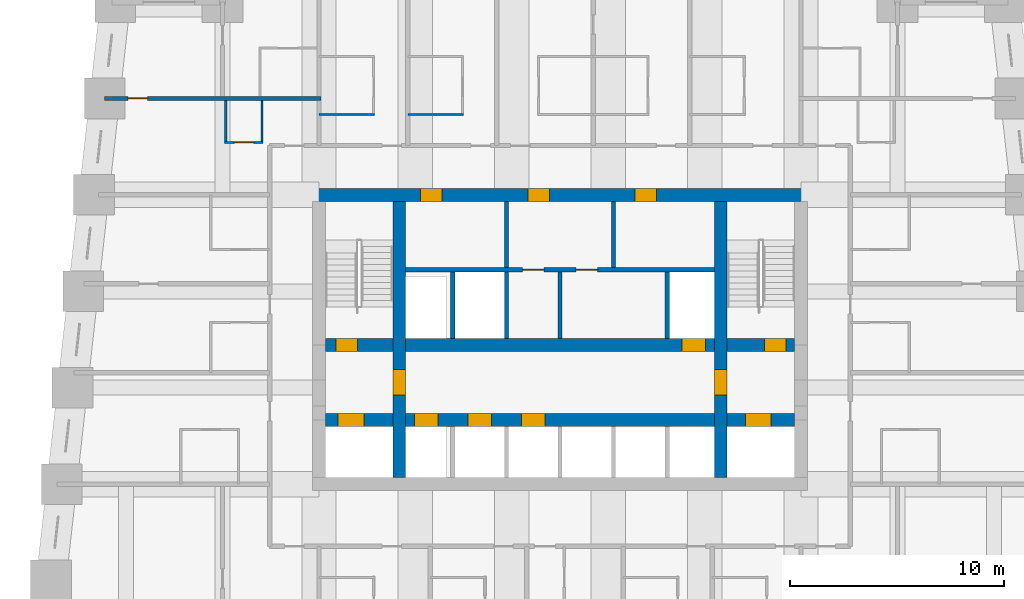
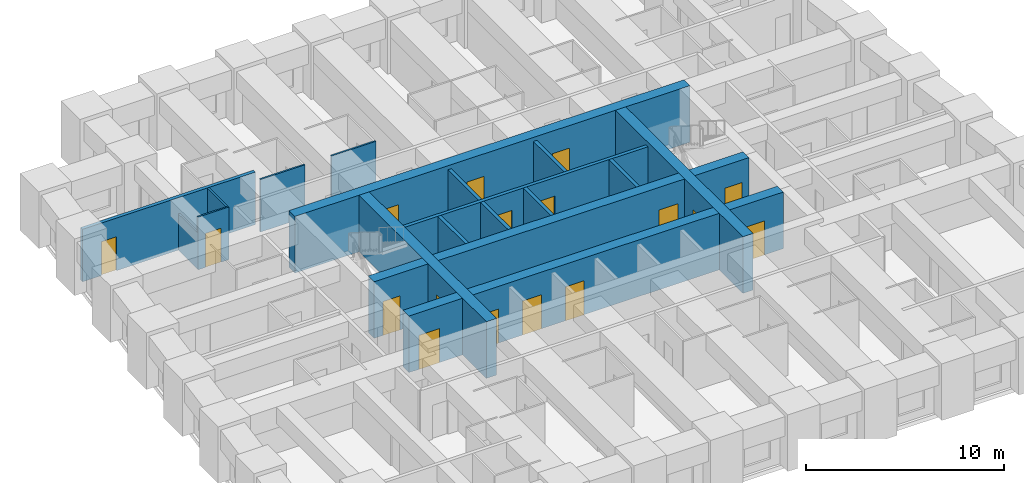
# One storey, part 4 of 8: 18 walls, 17 doors, 17 openings.
"""IFC4 building model written with IfcOpenShell, lengths in metres."""

from ifc_helpers import new_model, si_unit, direction, frame, frame_2d, origin, place, context, subcontext, project, spatial, rectangle, extrude, material, layer, layer_set, type_object, element, fill, save


model = new_model("IFC4")

# Units and contexts
model_context = context("Model", 3, precision=1e-05, world=origin(), true_north=direction((0.0, 1.0)))
body_context = subcontext(model_context, "Body", "Model", "MODEL_VIEW")
ifc_project = project(units=[si_unit("LENGTHUNIT", "METRE"), si_unit("AREAUNIT", "SQUARE_METRE"), si_unit("VOLUMEUNIT", "CUBIC_METRE"), si_unit("PLANEANGLEUNIT", "RADIAN"), si_unit("MASSUNIT", "GRAM", prefix="KILO")], contexts=[model_context])

# Site, building, storey
site_placement = place(None, origin())
site = spatial("IfcSite", under=ifc_project, at=site_placement, CompositionType="ELEMENT")
building_placement = place(site_placement, origin())
building = spatial("IfcBuilding", under=site, at=building_placement, Name="Kilele Tower Hotel", CompositionType="ELEMENT")
storey_placement = place(building_placement, frame((0.0, 0.0, 47.199951171875)))
storey = spatial("IfcBuildingStorey", under=building, at=storey_placement, Name="L10", CompositionType="ELEMENT", Elevation=47.199951171875)

# Walls
ifc_material_1 = material(Name="Moisture-resistant board")
ifc_layer_1 = layer(ifc_material_1, 0.10009765625)
ifc_layer_set_1 = layer_set([ifc_layer_1], Name="Moisture-resistant board")
wall_type_1 = type_object("IfcWallType", Name="Bathroom partition 100", PredefinedType="PLUMBINGWALL", material=ifc_layer_set_1)
for number, where, z_axis, x_axis, name in (
    (1, (13.5, 30.75, 0.0), (0.0, 0.0, 1.0), (1.0, 0.0, 0.0), "Bathroom partition 100 L10"),
    (2, (17.64990234375, 30.75, 0.0), (0.0, 0.0, 1.0), (1.0, 0.0, 0.0), "Bathroom partition 100 L10"),
):
    element("IfcWall", number, at=place(storey_placement, frame(where, z_axis=z_axis, x_axis=x_axis)), inside=storey, type_object=wall_type_1, Name=name, PredefinedType="PLUMBINGWALL", context=body_context, shape_type="SweptSolid", body=[
        extrude(rectangle(XDim=2.60009765625, YDim=0.10009765625, at=frame_2d((1.300048828125, 0.0))), origin(), (0.0, 0.0, 1.0), 3.25),
    ])
wall_1_placement = place(storey_placement, frame((9.14990234375, 31.39990234375, 0.0), z_axis=(0.0, 0.0, 1.0), x_axis=(0.0, -1.0, 0.0)))
element("IfcWall", 3, at=wall_1_placement, inside=storey, type_object=wall_type_1, Name="Bathroom partition 100 L10", PredefinedType="PLUMBINGWALL", context=body_context, shape_type="SweptSolid", body=[
    extrude(rectangle(XDim=2.0, YDim=0.10009765625, at=frame_2d((1.0, 0.0))), origin(), (0.0, 0.0, 1.0), 2.25),
])
wall_2_placement = place(storey_placement, frame((10.85009765625, 31.39990234375, 0.0), z_axis=(0.0, 0.0, 1.0), x_axis=(0.0, -1.0, 0.0)))
element("IfcWall", 4, at=wall_2_placement, inside=storey, type_object=wall_type_1, Name="Bathroom partition 100 L10", PredefinedType="PLUMBINGWALL", context=body_context, shape_type="SweptSolid", body=[
    extrude(rectangle(XDim=2.0, YDim=0.10009765625, at=frame_2d((1.0, 0.0))), origin(), (0.0, 0.0, 1.0), 3.25),
])

# Wall, opening, door
wall_3_placement = place(storey_placement, frame((10.89990234375, 29.449951171875, 0.0), z_axis=(0.0, 0.0, 1.0), x_axis=(-1.0, 0.0, 0.0)))
wall_3 = element("IfcWall", 5, at=wall_3_placement, inside=storey, type_object=wall_type_1, Name="Bathroom partition 100 L10", PredefinedType="PLUMBINGWALL", context=body_context, shape_type="SweptSolid", body=[
    extrude(rectangle(XDim=1.7998046875, YDim=0.10009765625, at=frame_2d((0.89990234375, 0.0))), origin(), (0.0, 0.0, 1.0), 3.25),
])
opening_1_placement = place(wall_3_placement, frame((0.449951171875, 0.0, 0.0)))
opening_1 = element("IfcOpeningElement", 6, at=opening_1_placement, cuts=wall_3, Name="Opening D2A", PredefinedType="OPENING", context=body_context, shape_type="SweptSolid", body=[
    extrude(rectangle(XDim=0.89990234375, YDim=2.10009765625, at=frame_2d((0.449951171875, 1.050048828125))), frame((0.0, 0.06005859375, 0.0), z_axis=(0.0, -1.0, 0.0), x_axis=(1.0, 0.0, 0.0)), (0.0, 0.0, 1.0), 0.1201171875),
])
ifc_material_2 = material(Name="Timber door leaf in hardwood frame", Category="wood")
door_type_1 = type_object("IfcDoorType", Name="Bathroom door 900", OperationType="SINGLE_SWING_LEFT", PredefinedType="DOOR", material=ifc_material_2)
door_1_placement = place(opening_1_placement, origin())
door_1 = element("IfcDoor", 7, at=door_1_placement, inside=storey, type_object=door_type_1, Name="Bathroom door 1026P", OperationType="SINGLE_SWING_LEFT", OverallHeight=2.10009765625, OverallWidth=0.89990234375, PredefinedType="DOOR", context=body_context, shape_type="SweptSolid", body=[
    extrude(rectangle(XDim=0.89990234375, YDim=2.10009765625, at=frame_2d((0.449951171875, 1.050048828125))), frame((0.0, 0.02490234375, 0.0), z_axis=(0.0, -1.0, 0.0), x_axis=(1.0, 0.0, 0.0)), (0.0, 0.0, 1.0), 0.050048828125),
])
fill(opening_1, door_1)

# Wall, openings, doors
ifc_material_3 = material(Name="Concrete C60/75", Category="concrete")
ifc_layer_2 = layer(ifc_material_3, 0.60009765625)
ifc_layer_set_2 = layer_set([ifc_layer_2], Name="Concrete C60/75")
wall_type_2 = type_object("IfcWallType", Name="Core wall 600 C60/75", PredefinedType="SHEAR", material=ifc_layer_set_2)
wall_4_placement = place(storey_placement, frame((36.300048828125, 27.0, 0.0), z_axis=(0.0, 0.0, 1.0), x_axis=(-1.0, 0.0, 0.0)))
wall_4 = element("IfcWall", 8, at=wall_4_placement, inside=storey, type_object=wall_type_2, Name="Core wall N L10", PredefinedType="SHEAR", context=body_context, shape_type="SweptSolid", body=[
    extrude(rectangle(XDim=23.10009765625, YDim=0.60009765625, at=frame_2d((11.550048828125, 0.0))), origin(), (0.0, 0.0, 1.0), 3.5),
])
opening_2_placement = place(wall_4_placement, frame((17.050048828125, 0.0, 0.0)))
opening_2 = element("IfcOpeningElement", 9, at=opening_2_placement, cuts=wall_4, Name="Opening D6", PredefinedType="OPENING", context=body_context, shape_type="SweptSolid", body=[
    extrude(rectangle(XDim=1.0, YDim=2.10009765625, at=frame_2d((0.5, 1.050048828125))), frame((0.0, 0.31005859375, 0.0), z_axis=(0.0, -1.0, 0.0), x_axis=(1.0, 0.0, 0.0)), (0.0, 0.0, 1.0), 0.6201171875),
])
opening_3_placement = place(wall_4_placement, frame((12.050048828125, 0.0, 0.0)))
opening_3 = element("IfcOpeningElement", 10, at=opening_3_placement, cuts=wall_4, Name="Opening D6", PredefinedType="OPENING", context=body_context, shape_type="SweptSolid", body=[
    extrude(rectangle(XDim=1.0, YDim=2.10009765625, at=frame_2d((0.5, 1.050048828125))), frame((0.0, 0.31005859375, 0.0), z_axis=(0.0, -1.0, 0.0), x_axis=(1.0, 0.0, 0.0)), (0.0, 0.0, 1.0), 0.6201171875),
])
opening_4_placement = place(wall_4_placement, frame((7.050048828125, 0.0, 0.0)))
opening_4 = element("IfcOpeningElement", 11, at=opening_4_placement, cuts=wall_4, Name="Opening D6", PredefinedType="OPENING", context=body_context, shape_type="SweptSolid", body=[
    extrude(rectangle(XDim=1.0, YDim=2.10009765625, at=frame_2d((0.5, 1.050048828125))), frame((0.0, 0.31005859375, 0.0), z_axis=(0.0, -1.0, 0.0), x_axis=(1.0, 0.0, 0.0)), (0.0, 0.0, 1.0), 0.6201171875),
])
ifc_material_4 = material(Name="Timber door leaf in hardwood frame", Category="wood")
door_type_2 = type_object("IfcDoorType", Name="Riser door 1000", OperationType="SINGLE_SWING_LEFT", PredefinedType="DOOR", material=ifc_material_4)
door_2_placement = place(opening_2_placement, origin())
door_2 = element("IfcDoor", 12, at=door_2_placement, inside=storey, type_object=door_type_2, Name="Service riser door L10", OperationType="SINGLE_SWING_RIGHT", OverallHeight=2.10009765625, OverallWidth=1.0, PredefinedType="DOOR", context=body_context, shape_type="SweptSolid", body=[
    extrude(rectangle(XDim=1.0, YDim=2.10009765625, at=frame_2d((0.5, 1.050048828125))), frame((0.0, 0.2998046875, 0.0), z_axis=(0.0, -1.0, 0.0), x_axis=(1.0, 0.0, 0.0)), (0.0, 0.0, 1.0), 0.599609375),
])
fill(opening_2, door_2)
door_3_placement = place(opening_3_placement, origin())
door_3 = element("IfcDoor", 13, at=door_3_placement, inside=storey, type_object=door_type_2, Name="Housekeeping store door L10", OperationType="SINGLE_SWING_RIGHT", OverallHeight=2.10009765625, OverallWidth=1.0, PredefinedType="DOOR", context=body_context, shape_type="SweptSolid", body=[
    extrude(rectangle(XDim=1.0, YDim=2.10009765625, at=frame_2d((0.5, 1.050048828125))), frame((0.0, 0.2998046875, 0.0), z_axis=(0.0, -1.0, 0.0), x_axis=(1.0, 0.0, 0.0)), (0.0, 0.0, 1.0), 0.599609375),
])
fill(opening_3, door_3)
door_4_placement = place(opening_4_placement, origin())
door_4 = element("IfcDoor", 14, at=door_4_placement, inside=storey, type_object=door_type_2, Name="Electrical riser door L10", OperationType="SINGLE_SWING_RIGHT", OverallHeight=2.10009765625, OverallWidth=1.0, PredefinedType="DOOR", context=body_context, shape_type="SweptSolid", body=[
    extrude(rectangle(XDim=1.0, YDim=2.10009765625, at=frame_2d((0.5, 1.050048828125))), frame((0.0, 0.2998046875, 0.0), z_axis=(0.0, -1.0, 0.0), x_axis=(1.0, 0.0, 0.0)), (0.0, 0.0, 1.0), 0.599609375),
])
fill(opening_4, door_4)

# Wall, opening, door
wall_5_placement = place(storey_placement, frame((17.25, 13.800048828125, 0.0), z_axis=(0.0, 0.0, 1.0), x_axis=(0.0, 1.0, 0.0)))
wall_5 = element("IfcWall", 15, at=wall_5_placement, inside=storey, type_object=wall_type_2, Name="Core wall IW L10", PredefinedType="SHEAR", context=body_context, shape_type="SweptSolid", body=[
    extrude(rectangle(XDim=12.89990234375, YDim=0.60009765625, at=frame_2d((6.449951171875, 0.0))), origin(), (0.0, 0.0, 1.0), 3.5),
])
opening_5_placement = place(wall_5_placement, frame((3.85009765625, 0.0, 0.0)))
opening_5 = element("IfcOpeningElement", 16, at=opening_5_placement, cuts=wall_5, Name="Opening D4", PredefinedType="OPENING", context=body_context, shape_type="SweptSolid", body=[
    extrude(rectangle(XDim=1.199951171875, YDim=2.10009765625, at=frame_2d((0.60009765625, 1.050048828125))), frame((0.0, 0.31005859375, 0.0), z_axis=(0.0, -1.0, 0.0), x_axis=(1.0, 0.0, 0.0)), (0.0, 0.0, 1.0), 0.6201171875),
])
ifc_material_5 = material(Name="Timber door leaf in hardwood frame", Category="wood")
door_type_3 = type_object("IfcDoorType", Name="Firefighting lobby door 1200", OperationType="SINGLE_SWING_LEFT", PredefinedType="DOOR", material=ifc_material_5)
door_5_placement = place(opening_5_placement, origin())
door_5 = element("IfcDoor", 17, at=door_5_placement, inside=storey, type_object=door_type_3, Name="Lobby door L10", OperationType="SINGLE_SWING_LEFT", OverallHeight=2.10009765625, OverallWidth=1.199951171875, PredefinedType="DOOR", context=body_context, shape_type="SweptSolid", body=[
    extrude(rectangle(XDim=1.199951171875, YDim=2.10009765625, at=frame_2d((0.60009765625, 1.050048828125))), frame((0.0, 0.2998046875, 0.0), z_axis=(0.0, -1.0, 0.0), x_axis=(1.0, 0.0, 0.0)), (0.0, 0.0, 1.0), 0.599609375),
])
fill(opening_5, door_5)

wall_6_placement = place(storey_placement, frame((32.25, 13.800048828125, 0.0), z_axis=(0.0, 0.0, 1.0), x_axis=(0.0, 1.0, 0.0)))
wall_6 = element("IfcWall", 18, at=wall_6_placement, inside=storey, type_object=wall_type_2, Name="Core wall IE L10", PredefinedType="SHEAR", context=body_context, shape_type="SweptSolid", body=[
    extrude(rectangle(XDim=12.89990234375, YDim=0.60009765625, at=frame_2d((6.449951171875, 0.0))), origin(), (0.0, 0.0, 1.0), 3.5),
])
opening_6_placement = place(wall_6_placement, frame((5.050048828125, 0.0, 0.0), z_axis=(0.0, 0.0, 1.0), x_axis=(-1.0, 0.0, 0.0)))
opening_6 = element("IfcOpeningElement", 19, at=opening_6_placement, cuts=wall_6, Name="Opening D4", PredefinedType="OPENING", context=body_context, shape_type="SweptSolid", body=[
    extrude(rectangle(XDim=1.199951171875, YDim=2.10009765625, at=frame_2d((0.60009765625, 1.050048828125))), frame((0.0, 0.31005859375, 0.0), z_axis=(0.0, -1.0, 0.0), x_axis=(1.0, 0.0, 0.0)), (0.0, 0.0, 1.0), 0.6201171875),
])
door_6_placement = place(opening_6_placement, origin())
door_6 = element("IfcDoor", 20, at=door_6_placement, inside=storey, type_object=door_type_3, Name="Lobby door L10", OperationType="SINGLE_SWING_RIGHT", OverallHeight=2.10009765625, OverallWidth=1.199951171875, PredefinedType="DOOR", context=body_context, shape_type="SweptSolid", body=[
    extrude(rectangle(XDim=1.199951171875, YDim=2.10009765625, at=frame_2d((0.60009765625, 1.050048828125))), frame((0.0, 0.2998046875, 0.0), z_axis=(0.0, -1.0, 0.0), x_axis=(1.0, 0.0, 0.0)), (0.0, 0.0, 1.0), 0.599609375),
])
fill(opening_6, door_6)

# Wall, openings, doors
wall_7_placement = place(storey_placement, frame((13.800048828125, 16.5, 0.0), z_axis=(0.0, 0.0, 1.0), x_axis=(1.0, 0.0, 0.0)))
wall_7 = element("IfcWall", 21, at=wall_7_placement, inside=storey, type_object=wall_type_2, Name="Core wall LS L10", PredefinedType="SHEAR", context=body_context, shape_type="SweptSolid", body=[
    extrude(rectangle(XDim=21.89990234375, YDim=0.60009765625, at=frame_2d((10.949951171875, 0.0))), origin(), (0.0, 0.0, 1.0), 3.5),
])
opening_7_placement = place(wall_7_placement, frame((4.14990234375, 0.0, 0.0)))
opening_7 = element("IfcOpeningElement", 22, at=opening_7_placement, cuts=wall_7, Name="Opening LD1", PredefinedType="OPENING", context=body_context, shape_type="SweptSolid", body=[
    extrude(rectangle(XDim=1.10009765625, YDim=2.10009765625, at=frame_2d((0.550048828125, 1.050048828125))), frame((0.0, 0.31005859375, 0.0), z_axis=(0.0, -1.0, 0.0), x_axis=(1.0, 0.0, 0.0)), (0.0, 0.0, 1.0), 0.6201171875),
])
opening_8_placement = place(wall_7_placement, frame((6.64990234375, 0.0, 0.0)))
opening_8 = element("IfcOpeningElement", 23, at=opening_8_placement, cuts=wall_7, Name="Opening LD1", PredefinedType="OPENING", context=body_context, shape_type="SweptSolid", body=[
    extrude(rectangle(XDim=1.10009765625, YDim=2.10009765625, at=frame_2d((0.550048828125, 1.050048828125))), frame((0.0, 0.31005859375, 0.0), z_axis=(0.0, -1.0, 0.0), x_axis=(1.0, 0.0, 0.0)), (0.0, 0.0, 1.0), 0.6201171875),
])
opening_9_placement = place(wall_7_placement, frame((9.14990234375, 0.0, 0.0)))
opening_9 = element("IfcOpeningElement", 24, at=opening_9_placement, cuts=wall_7, Name="Opening LD1", PredefinedType="OPENING", context=body_context, shape_type="SweptSolid", body=[
    extrude(rectangle(XDim=1.10009765625, YDim=2.10009765625, at=frame_2d((0.550048828125, 1.050048828125))), frame((0.0, 0.31005859375, 0.0), z_axis=(0.0, -1.0, 0.0), x_axis=(1.0, 0.0, 0.0)), (0.0, 0.0, 1.0), 0.6201171875),
])
opening_10_placement = place(wall_7_placement, frame((0.60009765625, 0.0, 0.0)))
opening_10 = element("IfcOpeningElement", 25, at=opening_10_placement, cuts=wall_7, Name="Opening LD2", PredefinedType="OPENING", context=body_context, shape_type="SweptSolid", body=[
    extrude(rectangle(XDim=1.199951171875, YDim=2.10009765625, at=frame_2d((0.60009765625, 1.050048828125))), frame((0.0, 0.31005859375, 0.0), z_axis=(0.0, -1.0, 0.0), x_axis=(1.0, 0.0, 0.0)), (0.0, 0.0, 1.0), 0.6201171875),
])
opening_11_placement = place(wall_7_placement, frame((19.60009765625, 0.0, 0.0)))
opening_11 = element("IfcOpeningElement", 26, at=opening_11_placement, cuts=wall_7, Name="Opening LD2", PredefinedType="OPENING", context=body_context, shape_type="SweptSolid", body=[
    extrude(rectangle(XDim=1.199951171875, YDim=2.10009765625, at=frame_2d((0.60009765625, 1.050048828125))), frame((0.0, 0.31005859375, 0.0), z_axis=(0.0, -1.0, 0.0), x_axis=(1.0, 0.0, 0.0)), (0.0, 0.0, 1.0), 0.6201171875),
])
ifc_material_6 = material(Name="Steel lift landing door", Category="steel")
door_type_4 = type_object("IfcDoorType", Name="Firefighting lift landing door 1200", OperationType="SLIDING_TO_LEFT", PredefinedType="DOOR", material=ifc_material_6)
door_7_placement = place(opening_10_placement, origin())
door_7 = element("IfcDoor", 27, at=door_7_placement, inside=storey, type_object=door_type_4, Name="Landing door FFW L10", OperationType="SLIDING_TO_LEFT", OverallHeight=2.10009765625, OverallWidth=1.199951171875, PredefinedType="DOOR", context=body_context, shape_type="SweptSolid", body=[
    extrude(rectangle(XDim=1.199951171875, YDim=2.10009765625, at=frame_2d((0.60009765625, 1.050048828125))), frame((0.0, 0.2998046875, 0.0), z_axis=(0.0, -1.0, 0.0), x_axis=(1.0, 0.0, 0.0)), (0.0, 0.0, 1.0), 0.599609375),
])
fill(opening_10, door_7)
door_8_placement = place(opening_11_placement, origin())
door_8 = element("IfcDoor", 28, at=door_8_placement, inside=storey, type_object=door_type_4, Name="Landing door FFE L10", OperationType="SLIDING_TO_LEFT", OverallHeight=2.10009765625, OverallWidth=1.199951171875, PredefinedType="DOOR", context=body_context, shape_type="SweptSolid", body=[
    extrude(rectangle(XDim=1.199951171875, YDim=2.10009765625, at=frame_2d((0.60009765625, 1.050048828125))), frame((0.0, 0.2998046875, 0.0), z_axis=(0.0, -1.0, 0.0), x_axis=(1.0, 0.0, 0.0)), (0.0, 0.0, 1.0), 0.599609375),
])
fill(opening_11, door_8)
ifc_material_7 = material(Name="Steel lift landing door", Category="steel")
door_type_5 = type_object("IfcDoorType", Name="Lift landing door 1100", OperationType="SLIDING_TO_LEFT", PredefinedType="DOOR", material=ifc_material_7)
door_9_placement = place(opening_7_placement, origin())
door_9 = element("IfcDoor", 29, at=door_9_placement, inside=storey, type_object=door_type_5, Name="Landing door L1 L10", OperationType="SLIDING_TO_LEFT", OverallHeight=2.10009765625, OverallWidth=1.10009765625, PredefinedType="DOOR", context=body_context, shape_type="SweptSolid", body=[
    extrude(rectangle(XDim=1.10009765625, YDim=2.10009765625, at=frame_2d((0.550048828125, 1.050048828125))), frame((0.0, 0.2998046875, 0.0), z_axis=(0.0, -1.0, 0.0), x_axis=(1.0, 0.0, 0.0)), (0.0, 0.0, 1.0), 0.599609375),
])
fill(opening_7, door_9)
door_10_placement = place(opening_8_placement, origin())
door_10 = element("IfcDoor", 30, at=door_10_placement, inside=storey, type_object=door_type_5, Name="Landing door L2 L10", OperationType="SLIDING_TO_LEFT", OverallHeight=2.10009765625, OverallWidth=1.10009765625, PredefinedType="DOOR", context=body_context, shape_type="SweptSolid", body=[
    extrude(rectangle(XDim=1.10009765625, YDim=2.10009765625, at=frame_2d((0.550048828125, 1.050048828125))), frame((0.0, 0.2998046875, 0.0), z_axis=(0.0, -1.0, 0.0), x_axis=(1.0, 0.0, 0.0)), (0.0, 0.0, 1.0), 0.599609375),
])
fill(opening_8, door_10)
door_11_placement = place(opening_9_placement, origin())
door_11 = element("IfcDoor", 31, at=door_11_placement, inside=storey, type_object=door_type_5, Name="Landing door L3 L10", OperationType="SLIDING_TO_LEFT", OverallHeight=2.10009765625, OverallWidth=1.10009765625, PredefinedType="DOOR", context=body_context, shape_type="SweptSolid", body=[
    extrude(rectangle(XDim=1.10009765625, YDim=2.10009765625, at=frame_2d((0.550048828125, 1.050048828125))), frame((0.0, 0.2998046875, 0.0), z_axis=(0.0, -1.0, 0.0), x_axis=(1.0, 0.0, 0.0)), (0.0, 0.0, 1.0), 0.599609375),
])
fill(opening_9, door_11)

wall_8_placement = place(storey_placement, frame((13.800048828125, 20.0, 0.0), z_axis=(0.0, 0.0, 1.0), x_axis=(1.0, 0.0, 0.0)))
wall_8 = element("IfcWall", 32, at=wall_8_placement, inside=storey, type_object=wall_type_2, Name="Core wall LN L10", PredefinedType="SHEAR", context=body_context, shape_type="SweptSolid", body=[
    extrude(rectangle(XDim=21.89990234375, YDim=0.60009765625, at=frame_2d((10.949951171875, 0.0))), origin(), (0.0, 0.0, 1.0), 3.5),
])
opening_12_placement = place(wall_8_placement, frame((0.5, 0.0, 0.0)))
opening_12 = element("IfcOpeningElement", 33, at=opening_12_placement, cuts=wall_8, Name="Opening D5", PredefinedType="OPENING", context=body_context, shape_type="SweptSolid", body=[
    extrude(rectangle(XDim=1.0, YDim=2.10009765625, at=frame_2d((0.5, 1.050048828125))), frame((0.0, 0.31005859375, 0.0), z_axis=(0.0, -1.0, 0.0), x_axis=(1.0, 0.0, 0.0)), (0.0, 0.0, 1.0), 0.6201171875),
])
opening_13_placement = place(wall_8_placement, frame((20.5, 0.0, 0.0)))
opening_13 = element("IfcOpeningElement", 34, at=opening_13_placement, cuts=wall_8, Name="Opening D5", PredefinedType="OPENING", context=body_context, shape_type="SweptSolid", body=[
    extrude(rectangle(XDim=1.0, YDim=2.10009765625, at=frame_2d((0.5, 1.050048828125))), frame((0.0, 0.31005859375, 0.0), z_axis=(0.0, -1.0, 0.0), x_axis=(1.0, 0.0, 0.0)), (0.0, 0.0, 1.0), 0.6201171875),
])
opening_14_placement = place(wall_8_placement, frame((16.64990234375, 0.0, 0.0)))
opening_14 = element("IfcOpeningElement", 35, at=opening_14_placement, cuts=wall_8, Name="Opening LD1", PredefinedType="OPENING", context=body_context, shape_type="SweptSolid", body=[
    extrude(rectangle(XDim=1.10009765625, YDim=2.10009765625, at=frame_2d((0.550048828125, 1.050048828125))), frame((0.0, 0.31005859375, 0.0), z_axis=(0.0, -1.0, 0.0), x_axis=(1.0, 0.0, 0.0)), (0.0, 0.0, 1.0), 0.6201171875),
])
door_12_placement = place(opening_14_placement, origin())
door_12 = element("IfcDoor", 36, at=door_12_placement, inside=storey, type_object=door_type_5, Name="Landing door G1 L10", OperationType="SLIDING_TO_LEFT", OverallHeight=2.10009765625, OverallWidth=1.10009765625, PredefinedType="DOOR", context=body_context, shape_type="SweptSolid", body=[
    extrude(rectangle(XDim=1.10009765625, YDim=2.10009765625, at=frame_2d((0.550048828125, 1.050048828125))), frame((0.0, 0.2998046875, 0.0), z_axis=(0.0, -1.0, 0.0), x_axis=(1.0, 0.0, 0.0)), (0.0, 0.0, 1.0), 0.599609375),
])
fill(opening_14, door_12)
ifc_material_8 = material(Name="Timber door leaf in hardwood frame", Category="wood")
door_type_6 = type_object("IfcDoorType", Name="Stair door 1000", OperationType="SINGLE_SWING_LEFT", PredefinedType="DOOR", material=ifc_material_8)
door_13_placement = place(opening_12_placement, origin())
door_13 = element("IfcDoor", 37, at=door_13_placement, inside=storey, type_object=door_type_6, Name="Stair 1 door L10", OperationType="SINGLE_SWING_LEFT", OverallHeight=2.10009765625, OverallWidth=1.0, PredefinedType="DOOR", context=body_context, shape_type="SweptSolid", body=[
    extrude(rectangle(XDim=1.0, YDim=2.10009765625, at=frame_2d((0.5, 1.050048828125))), frame((0.0, 0.2998046875, 0.0), z_axis=(0.0, -1.0, 0.0), x_axis=(1.0, 0.0, 0.0)), (0.0, 0.0, 1.0), 0.599609375),
])
fill(opening_12, door_13)
door_14_placement = place(opening_13_placement, origin())
door_14 = element("IfcDoor", 38, at=door_14_placement, inside=storey, type_object=door_type_6, Name="Stair 2 door L10", OperationType="SINGLE_SWING_RIGHT", OverallHeight=2.10009765625, OverallWidth=1.0, PredefinedType="DOOR", context=body_context, shape_type="SweptSolid", body=[
    extrude(rectangle(XDim=1.0, YDim=2.10009765625, at=frame_2d((0.5, 1.050048828125))), frame((0.0, 0.2998046875, 0.0), z_axis=(0.0, -1.0, 0.0), x_axis=(1.0, 0.0, 0.0)), (0.0, 0.0, 1.0), 0.599609375),
])
fill(opening_13, door_14)

# Wall, opening, door
ifc_material_9 = material(Name="Blockwork, plastered both sides", Category="masonry")
ifc_layer_3 = layer(ifc_material_9, 0.199951171875)
ifc_layer_set_3 = layer_set([ifc_layer_3], Name="Blockwork, plastered both sides")
wall_type_3 = type_object("IfcWallType", Name="Party wall 200", PredefinedType="PARTITIONING", material=ifc_layer_set_3)
wall_9_placement = place(storey_placement, frame((13.60009765625, 31.5, 0.0), z_axis=(0.0, 0.0, 1.0), x_axis=(-1.0, 0.0, 0.0)))
wall_9 = element("IfcWall", 39, at=wall_9_placement, inside=storey, type_object=wall_type_3, Name="Party wall 200 L10", PredefinedType="PARTITIONING", context=body_context, shape_type="SweptSolid", body=[
    extrude(rectangle(XDim=10.09912109375, YDim=0.199951171875, at=frame_2d((5.049560546875, 0.0))), origin(), (0.0, 0.0, 1.0), 3.25),
])
opening_15_placement = place(wall_9_placement, frame((8.9990234375, 0.0, 0.0), z_axis=(0.0, 0.0, 1.0), x_axis=(-1.0, 0.0, 0.0)))
opening_15 = element("IfcOpeningElement", 40, at=opening_15_placement, cuts=wall_9, Name="Opening D3", PredefinedType="OPENING", context=body_context, shape_type="SweptSolid", body=[
    extrude(rectangle(XDim=0.89990234375, YDim=2.10009765625, at=frame_2d((0.449951171875, 1.050048828125))), frame((0.0, 0.10986328125, 0.0), z_axis=(0.0, -1.0, 0.0), x_axis=(1.0, 0.0, 0.0)), (0.0, 0.0, 1.0), 0.219970703125),
])
ifc_material_10 = material(Name="Timber door leaf in hardwood frame", Category="wood")
door_type_7 = type_object("IfcDoorType", Name="Suite internal door 900", OperationType="SINGLE_SWING_LEFT", PredefinedType="DOOR", material=ifc_material_10)
door_15_placement = place(opening_15_placement, origin())
door_15 = element("IfcDoor", 41, at=door_15_placement, inside=storey, type_object=door_type_7, Name="Suite door 1027", OperationType="SINGLE_SWING_LEFT", OverallHeight=2.10009765625, OverallWidth=0.89990234375, PredefinedType="DOOR", context=body_context, shape_type="SweptSolid", body=[
    extrude(rectangle(XDim=0.89990234375, YDim=2.10009765625, at=frame_2d((0.449951171875, 1.050048828125))), frame((0.0, 0.02490234375, 0.0), z_axis=(0.0, -1.0, 0.0), x_axis=(1.0, 0.0, 0.0)), (0.0, 0.0, 1.0), 0.050048828125),
])
fill(opening_15, door_15)

# Walls
ifc_material_11 = material(Name="Blockwork, fire-rated", Category="masonry")
ifc_layer_4 = layer(ifc_material_11, 0.199951171875)
ifc_layer_set_4 = layer_set([ifc_layer_4], Name="Blockwork, fire-rated")
wall_type_4 = type_object("IfcWallType", Name="Shaft wall 200", PredefinedType="PARTITIONING", material=ifc_layer_set_4)
for number, where, z_axis, x_axis, name in (
    (42, (19.75, 20.300048828125, 0.0), (0.0, 0.0, 1.0), (0.0, 1.0, 0.0), "Shaft wall 200 L10"),
    (43, (22.25, 20.300048828125, 0.0), (0.0, 0.0, 1.0), (0.0, 1.0, 0.0), "Shaft wall 200 L10"),
    (44, (24.75, 20.300048828125, 0.0), (0.0, 0.0, 1.0), (0.0, 1.0, 0.0), "Shaft wall 200 L10"),
    (45, (29.75, 20.300048828125, 0.0), (0.0, 0.0, 1.0), (0.0, 1.0, 0.0), "Shaft wall 200 L10"),
):
    element("IfcWall", number, at=place(storey_placement, frame(where, z_axis=z_axis, x_axis=x_axis)), inside=storey, type_object=wall_type_4, Name=name, PredefinedType="PARTITIONING", context=body_context, shape_type="SweptSolid", body=[
        extrude(rectangle(XDim=3.099853515625, YDim=0.199951171875, at=frame_2d((1.5498046875, 0.0))), origin(), (0.0, 0.0, 1.0), 3.25),
    ])

# Wall, openings, doors
wall_10_placement = place(storey_placement, frame((17.550048828125, 23.5, 0.0), z_axis=(0.0, 0.0, 1.0), x_axis=(1.0, 0.0, 0.0)))
wall_10 = element("IfcWall", 46, at=wall_10_placement, inside=storey, type_object=wall_type_4, Name="Shaft wall 200 L10", PredefinedType="PARTITIONING", context=body_context, shape_type="SweptSolid", body=[
    extrude(rectangle(XDim=14.39990234375, YDim=0.199951171875, at=frame_2d((7.199951171875, 0.0))), origin(), (0.0, 0.0, 1.0), 3.25),
])
opening_16_placement = place(wall_10_placement, frame((6.449951171875, 0.0, 0.0), z_axis=(0.0, 0.0, 1.0), x_axis=(-1.0, 0.0, 0.0)))
opening_16 = element("IfcOpeningElement", 47, at=opening_16_placement, cuts=wall_10, Name="Opening D11", PredefinedType="OPENING", context=body_context, shape_type="SweptSolid", body=[
    extrude(rectangle(XDim=1.0, YDim=2.10009765625, at=frame_2d((0.5, 1.050048828125))), frame((0.0, 0.10986328125, 0.0), z_axis=(0.0, -1.0, 0.0), x_axis=(1.0, 0.0, 0.0)), (0.0, 0.0, 1.0), 0.219970703125),
])
opening_17_placement = place(wall_10_placement, frame((7.949951171875, 0.0, 0.0)))
opening_17 = element("IfcOpeningElement", 48, at=opening_17_placement, cuts=wall_10, Name="Opening D11", PredefinedType="OPENING", context=body_context, shape_type="SweptSolid", body=[
    extrude(rectangle(XDim=1.0, YDim=2.10009765625, at=frame_2d((0.5, 1.050048828125))), frame((0.0, 0.10986328125, 0.0), z_axis=(0.0, -1.0, 0.0), x_axis=(1.0, 0.0, 0.0)), (0.0, 0.0, 1.0), 0.219970703125),
])
ifc_material_12 = material(Name="Timber door leaf in hardwood frame", Category="wood")
door_type_8 = type_object("IfcDoorType", Name="Core store door 1000", OperationType="SINGLE_SWING_LEFT", PredefinedType="DOOR", material=ifc_material_12)
door_16_placement = place(opening_16_placement, origin())
door_16 = element("IfcDoor", 49, at=door_16_placement, inside=storey, type_object=door_type_8, Name="Core room door H1", OperationType="SINGLE_SWING_RIGHT", OverallHeight=2.10009765625, OverallWidth=1.0, PredefinedType="DOOR", context=body_context, shape_type="SweptSolid", body=[
    extrude(rectangle(XDim=1.0, YDim=2.10009765625, at=frame_2d((0.5, 1.050048828125))), frame((0.0, 0.02490234375, 0.0), z_axis=(0.0, -1.0, 0.0), x_axis=(1.0, 0.0, 0.0)), (0.0, 0.0, 1.0), 0.050048828125),
])
fill(opening_16, door_16)
door_17_placement = place(opening_17_placement, origin())
door_17 = element("IfcDoor", 50, at=door_17_placement, inside=storey, type_object=door_type_8, Name="Core room door H2", OperationType="SINGLE_SWING_RIGHT", OverallHeight=2.10009765625, OverallWidth=1.0, PredefinedType="DOOR", context=body_context, shape_type="SweptSolid", body=[
    extrude(rectangle(XDim=1.0, YDim=2.10009765625, at=frame_2d((0.5, 1.050048828125))), frame((0.0, 0.02490234375, 0.0), z_axis=(0.0, -1.0, 0.0), x_axis=(1.0, 0.0, 0.0)), (0.0, 0.0, 1.0), 0.050048828125),
])
fill(opening_17, door_17)

# Walls
for number, where, z_axis, x_axis, name in (
    (51, (22.25, 23.60009765625, 0.0), (0.0, 0.0, 1.0), (0.0, 1.0, 0.0), "Shaft wall 200 L10"),
    (52, (27.25, 23.60009765625, 0.0), (0.0, 0.0, 1.0), (0.0, 1.0, 0.0), "Shaft wall 200 L10"),
):
    element("IfcWall", number, at=place(storey_placement, frame(where, z_axis=z_axis, x_axis=x_axis)), inside=storey, type_object=wall_type_4, Name=name, PredefinedType="PARTITIONING", context=body_context, shape_type="SweptSolid", body=[
        extrude(rectangle(XDim=3.099853515625, YDim=0.199951171875, at=frame_2d((1.5498046875, 0.0))), origin(), (0.0, 0.0, 1.0), 3.25),
    ])

save(model, "model.ifc")
